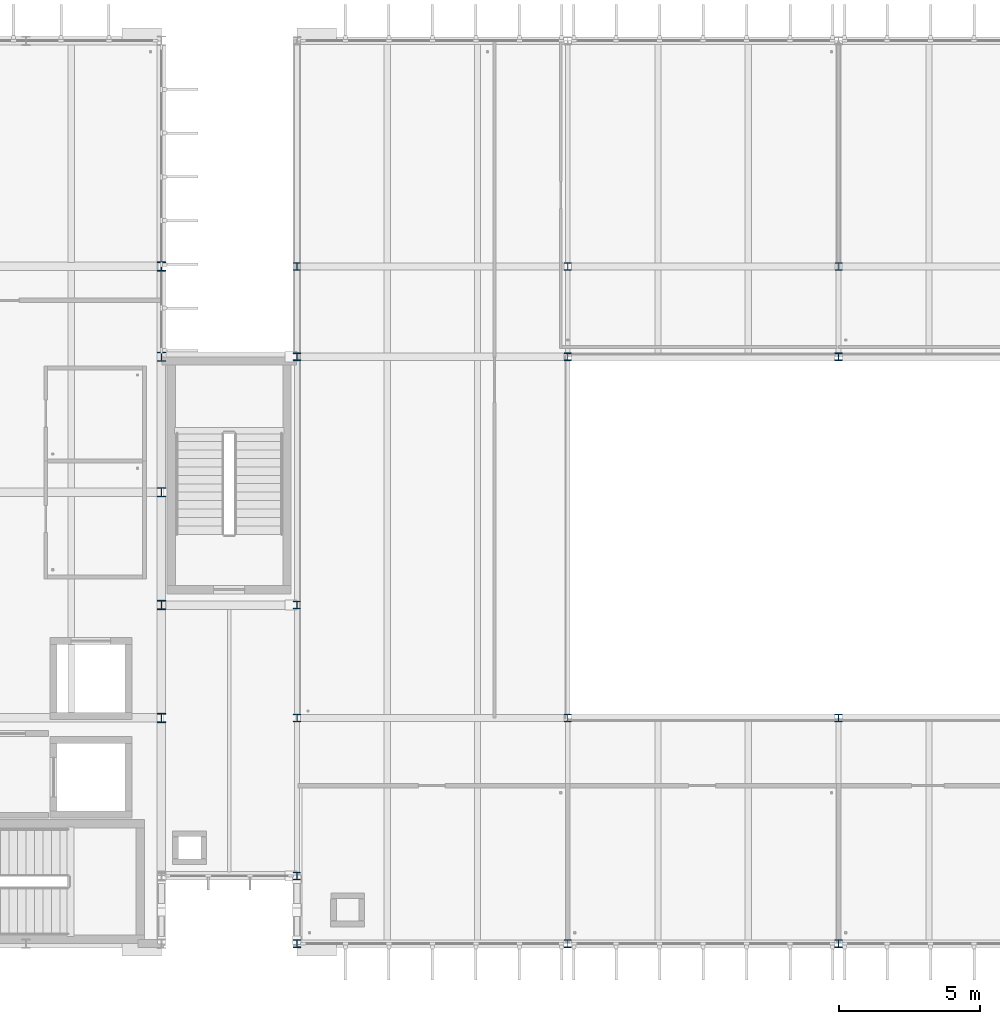
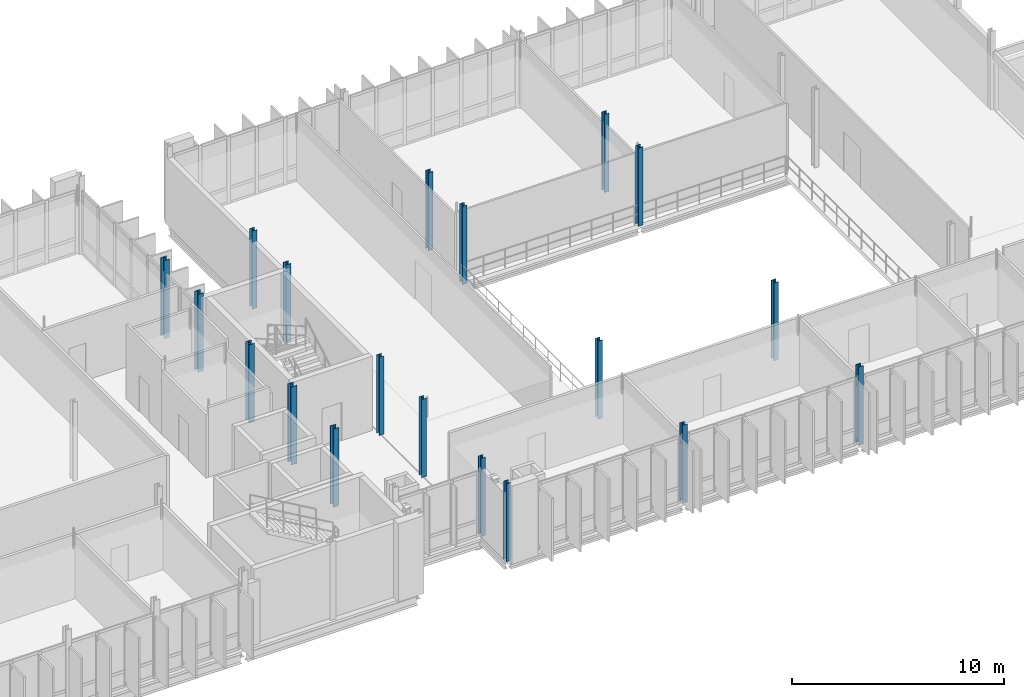
# One storey, part 2 of 59: 19 columns.
"""IFC4 building model written with IfcOpenShell, lengths in metres."""

from ifc_helpers import new_model, si_unit, direction, frame, origin, origin_2d, place, context, subcontext, project, spatial, i_section, extrude, material, material_profile, profile_set, type_object, element, save


model = new_model("IFC4")

# Units and contexts
model_context = context("Model", 3, precision=1e-05, world=origin(), true_north=direction((0.0, 1.0)))
body_context = subcontext(model_context, "Body", "Model", "MODEL_VIEW")
ifc_project = project(units=[si_unit("LENGTHUNIT", "METRE"), si_unit("AREAUNIT", "SQUARE_METRE"), si_unit("VOLUMEUNIT", "CUBIC_METRE"), si_unit("PLANEANGLEUNIT", "RADIAN"), si_unit("MASSUNIT", "GRAM", prefix="KILO")], contexts=[model_context])

# Site, building, storey
site_placement = place(None, origin())
site = spatial("IfcSite", under=ifc_project, at=site_placement, CompositionType="ELEMENT")
building_placement = place(site_placement, origin())
building = spatial("IfcBuilding", under=site, at=building_placement, Name="Dunescarp Central Library", CompositionType="ELEMENT")
storey_placement = place(building_placement, frame((0.0, 0.0, 18.60009765625)))
storey = spatial("IfcBuildingStorey", under=building, at=storey_placement, Name="L04", CompositionType="ELEMENT", Elevation=18.60009765625)

# Columns
ifc_material = material(Name="Steel S355JR", Category="steel")
ifc_material_profile_1 = material_profile(ifc_material, i_section(OverallWidth=0.26123046875, OverallDepth=0.2763671875, WebThickness=0.015380859375, FlangeThickness=0.025390625, at=origin_2d()), Name="UC 254x254x132")
ifc_profile_set_1 = profile_set([ifc_material_profile_1], Name="Steel S355JR")
column_type_1 = type_object("IfcColumnType", Name="STR-COL-UC254X132", PredefinedType="COLUMN", material=ifc_profile_set_1)
for number, where, z_axis, x_axis, name in (
    (1, (38.39990234375, 4.800048828125, 0.0), (0.0, 0.0, 1.0), (1.0, 0.0, 0.0), "L04 column V2-384-48"),
    (2, (38.39990234375, 12.800048828125, 0.0), (0.0, 0.0, 1.0), (1.0, 0.0, 0.0), "L04 column V2-384-128"),
    (3, (38.39990234375, 25.60009765625, 0.0), (0.0, 0.0, 1.0), (1.0, 0.0, 0.0), "L04 column V2-384-256"),
    (4, (48.0, 4.800048828125, 0.0), (0.0, 0.0, 1.0), (1.0, 0.0, 0.0), "L04 column V2-480-48"),
    (5, (48.0, 12.800048828125, 0.0), (0.0, 0.0, 1.0), (1.0, 0.0, 0.0), "L04 column V2-480-128"),
    (6, (48.0, 25.60009765625, 0.0), (0.0, 0.0, 1.0), (1.0, 0.0, 0.0), "L04 column V2-480-256"),
    (7, (57.60009765625, 4.800048828125, 0.0), (0.0, 0.0, 1.0), (1.0, 0.0, 0.0), "L04 column V2-576-48"),
    (8, (57.60009765625, 12.800048828125, 0.0), (0.0, 0.0, 1.0), (1.0, 0.0, 0.0), "L04 column V2-576-128"),
    (9, (57.60009765625, 25.60009765625, 0.0), (0.0, 0.0, 1.0), (1.0, 0.0, 0.0), "L04 column V2-576-256"),
):
    element("IfcColumn", number, at=place(storey_placement, frame(where, z_axis=z_axis, x_axis=x_axis)), inside=storey, type_object=column_type_1, Name=name, PredefinedType="COLUMN", context=body_context, shape_type="SweptSolid", body=[
        extrude(i_section(OverallWidth=0.26123046875, OverallDepth=0.2763671875, WebThickness=0.015380859375, FlangeThickness=0.025390625, at=origin_2d()), origin(), (0.0, 0.0, 1.0), 4.5),
    ])
ifc_material_profile_2 = material_profile(ifc_material, i_section(OverallWidth=0.25634765625, OverallDepth=0.26025390625, WebThickness=0.01025390625, FlangeThickness=0.017333984375, at=origin_2d()), Name="UC 254x254x89")
ifc_profile_set_2 = profile_set([ifc_material_profile_2], Name="Steel S355JR")
column_type_2 = type_object("IfcColumnType", Name="STR-COL-UC254X89", PredefinedType="COLUMN", material=ifc_profile_set_2)
for number, where, z_axis, x_axis, name in (
    (10, (38.39990234375, 28.800048828125, 0.0), (0.0, 0.0, 1.0), (1.0, 0.0, 0.0), "L04 column V2N5-384"),
    (11, (48.0, 28.800048828125, 0.0), (0.0, 0.0, 1.0), (1.0, 0.0, 0.0), "L04 column V2N5-480"),
    (12, (57.60009765625, 28.800048828125, 0.0), (0.0, 0.0, 1.0), (1.0, 0.0, 0.0), "L04 column V2N5-576"),
    (13, (38.39990234375, 7.199951171875, 0.0), (0.0, 0.0, 1.0), (1.0, 0.0, 0.0), "L04 column V2L-384-72"),
    (14, (38.39990234375, 16.800048828125, 0.0), (0.0, 0.0, 1.0), (1.0, 0.0, 0.0), "L04 column V2L-384-168"),
):
    element("IfcColumn", number, at=place(storey_placement, frame(where, z_axis=z_axis, x_axis=x_axis)), inside=storey, type_object=column_type_2, Name=name, PredefinedType="COLUMN", context=body_context, shape_type="SweptSolid", body=[
        extrude(i_section(OverallWidth=0.25634765625, OverallDepth=0.26025390625, WebThickness=0.01025390625, FlangeThickness=0.017333984375, at=origin_2d()), origin(), (0.0, 0.0, 1.0), 4.5),
    ])
ifc_material_profile_3 = material_profile(ifc_material, i_section(OverallWidth=0.311279296875, OverallDepth=0.3271484375, WebThickness=0.015869140625, FlangeThickness=0.02490234375, at=origin_2d()), Name="UC 305x305x158")
ifc_profile_set_3 = profile_set([ifc_material_profile_3], Name="Steel S355JR")
column_type_3 = type_object("IfcColumnType", Name="STR-COL-UC305X158", PredefinedType="COLUMN", material=ifc_profile_set_3)
for number, where, z_axis, x_axis, name in (
    (15, (33.60009765625, 12.800048828125, 0.0), (0.0, 0.0, 1.0), (1.0, 0.0, 0.0), "L04 column V1P-336-128"),
    (16, (33.60009765625, 16.800048828125, 0.0), (0.0, 0.0, 1.0), (1.0, 0.0, 0.0), "L04 column V1P-336-168"),
    (17, (33.60009765625, 20.800048828125, 0.0), (0.0, 0.0, 1.0), (1.0, 0.0, 0.0), "L04 column V1P-336-208"),
    (18, (33.60009765625, 25.60009765625, 0.0), (0.0, 0.0, 1.0), (1.0, 0.0, 0.0), "L04 column V1P-336-256"),
    (19, (33.60009765625, 28.800048828125, 0.0), (0.0, 0.0, 1.0), (1.0, 0.0, 0.0), "L04 column V1P-336-288"),
):
    element("IfcColumn", number, at=place(storey_placement, frame(where, z_axis=z_axis, x_axis=x_axis)), inside=storey, type_object=column_type_3, Name=name, PredefinedType="COLUMN", context=body_context, shape_type="SweptSolid", body=[
        extrude(i_section(OverallWidth=0.311279296875, OverallDepth=0.3271484375, WebThickness=0.015869140625, FlangeThickness=0.02490234375, at=origin_2d()), origin(), (0.0, 0.0, 1.0), 4.5),
    ])

save(model, "model.ifc")
